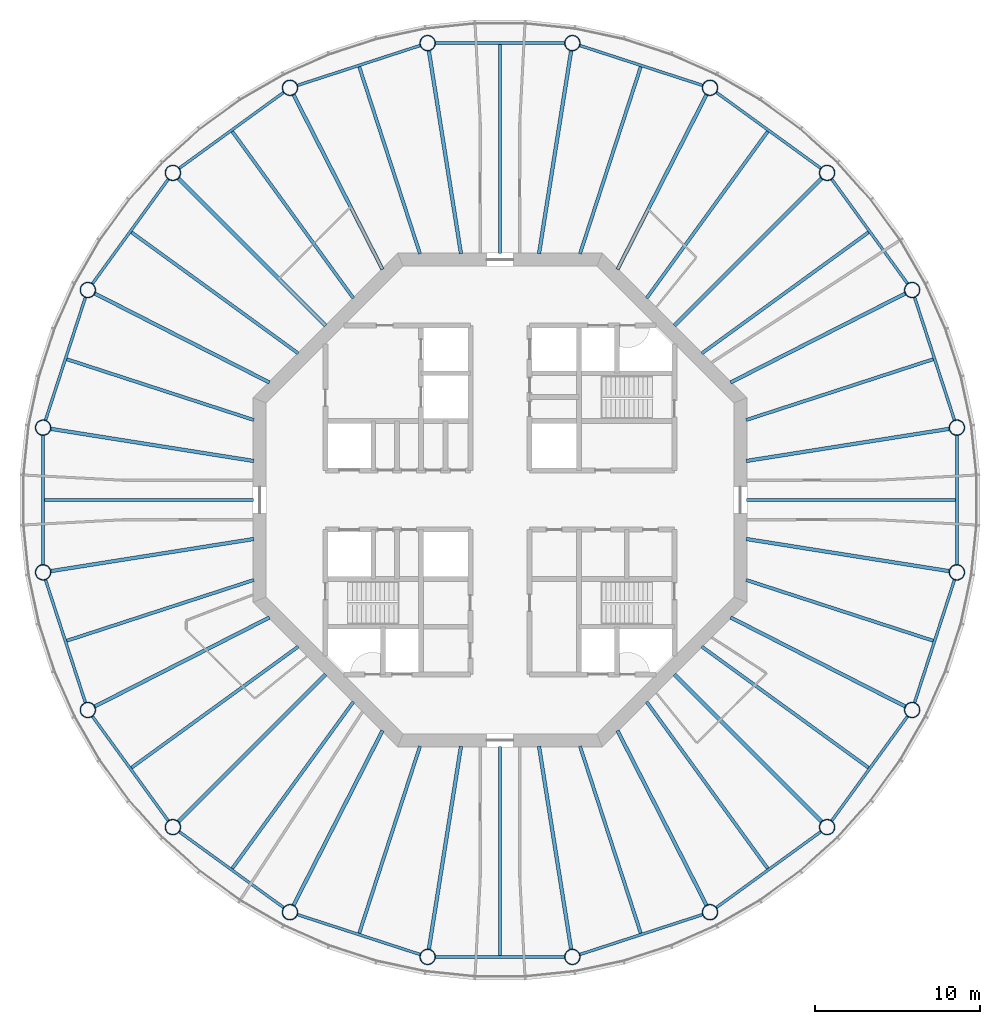
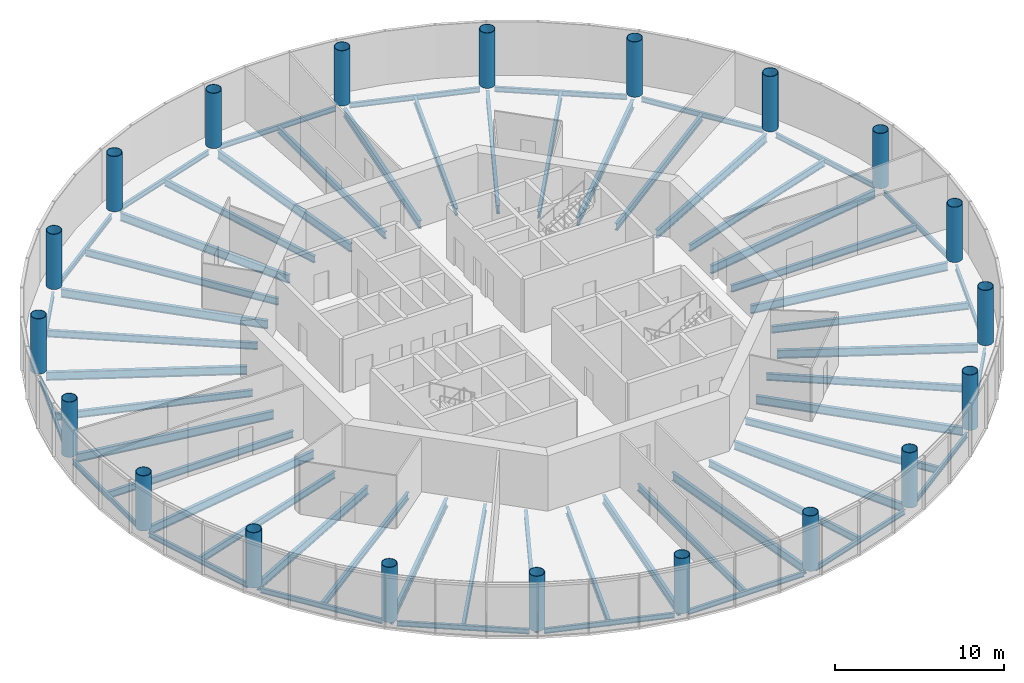
# One storey, part 1 of 13: 60 beams, 20 columns.
"""IFC4 building model written with IfcOpenShell, lengths in metres."""

from ifc_helpers import new_model, si_unit, direction, frame, origin, origin_2d, place, context, subcontext, project, spatial, circle, hollow_circle, i_section, extrude, material, material_profile, profile_set, type_object, element, save


model = new_model("IFC4")

# Units and contexts
model_context = context("Model", 3, precision=1e-05, world=origin(), true_north=direction((0.0, 1.0)))
body_context = subcontext(model_context, "Body", "Model", "MODEL_VIEW")
ifc_project = project(units=[si_unit("LENGTHUNIT", "METRE"), si_unit("AREAUNIT", "SQUARE_METRE"), si_unit("VOLUMEUNIT", "CUBIC_METRE"), si_unit("PLANEANGLEUNIT", "RADIAN"), si_unit("MASSUNIT", "GRAM", prefix="KILO")], contexts=[model_context])

# Site, building, storey
site_placement = place(None, origin())
site = spatial("IfcSite", under=ifc_project, at=site_placement, CompositionType="ELEMENT")
building_placement = place(site_placement, origin())
building = spatial("IfcBuilding", under=site, at=building_placement, Name="Entoto Ring Tower", CompositionType="ELEMENT")
storey_placement = place(building_placement, frame((0.0, 0.0, 298.0)))
storey = spatial("IfcBuildingStorey", under=building, at=storey_placement, Name="L68", CompositionType="ELEMENT", Elevation=298.0)

# Columns
ifc_material_1 = material(Name="Steel S355", Category="steel")
ifc_material_profile_1 = material_profile(ifc_material_1, hollow_circle(Radius=0.47509765625, WallThickness=0.034912109375, at=origin_2d()), Name="CHS 950 x 35")
ifc_material_2 = material(Name="Concrete C60/75", Category="concrete")
ifc_material_profile_2 = material_profile(ifc_material_2, circle(Radius=0.43994140625, at=origin_2d()), Name="Concrete C60/75 infill")
ifc_profile_set_1 = profile_set([ifc_material_profile_1, ifc_material_profile_2], Name="Steel S355")
column_type = type_object("IfcColumnType", Name="Ring column 950 x 35 concrete-filled tube", PredefinedType="COLUMN", material=ifc_profile_set_1)
for number, where, z_axis, x_axis, name in (
    (1, (117.754150390625, 84.395751953125, 0.0), (0.0, 0.0, 1.0), (1.0, 0.0, 0.0), "RC5 R01"),
    (2, (115.037353515625, 92.757080078125, 0.0), (0.0, 0.0, 1.0), (1.0, 0.0, 0.0), "RC5 R02"),
    (3, (109.86962890625, 99.86962890625, 0.0), (0.0, 0.0, 1.0), (1.0, 0.0, 0.0), "RC5 R03"),
    (4, (102.757080078125, 105.037353515625, 0.0), (0.0, 0.0, 1.0), (1.0, 0.0, 0.0), "RC5 R04"),
    (5, (94.395751953125, 107.754150390625, 0.0), (0.0, 0.0, 1.0), (1.0, 0.0, 0.0), "RC5 R05"),
    (6, (85.604248046875, 107.754150390625, 0.0), (0.0, 0.0, 1.0), (1.0, 0.0, 0.0), "RC5 R06"),
    (7, (77.242919921875, 105.037353515625, 0.0), (0.0, 0.0, 1.0), (1.0, 0.0, 0.0), "RC5 R07"),
    (8, (70.13037109375, 99.86962890625, 0.0), (0.0, 0.0, 1.0), (1.0, 0.0, 0.0), "RC5 R08"),
    (9, (64.962646484375, 92.757080078125, 0.0), (0.0, 0.0, 1.0), (1.0, 0.0, 0.0), "RC5 R09"),
    (10, (62.245849609375, 84.395751953125, 0.0), (0.0, 0.0, 1.0), (1.0, 0.0, 0.0), "RC5 R10"),
    (11, (62.245849609375, 75.604248046875, 0.0), (0.0, 0.0, 1.0), (1.0, 0.0, 0.0), "RC5 R11"),
    (12, (64.962646484375, 67.242919921875, 0.0), (0.0, 0.0, 1.0), (1.0, 0.0, 0.0), "RC5 R12"),
    (13, (70.13037109375, 60.13037109375, 0.0), (0.0, 0.0, 1.0), (1.0, 0.0, 0.0), "RC5 R13"),
    (14, (77.242919921875, 54.962646484375, 0.0), (0.0, 0.0, 1.0), (1.0, 0.0, 0.0), "RC5 R14"),
    (15, (85.604248046875, 52.245849609375, 0.0), (0.0, 0.0, 1.0), (1.0, 0.0, 0.0), "RC5 R15"),
    (16, (94.395751953125, 52.245849609375, 0.0), (0.0, 0.0, 1.0), (1.0, 0.0, 0.0), "RC5 R16"),
    (17, (102.757080078125, 54.962646484375, 0.0), (0.0, 0.0, 1.0), (1.0, 0.0, 0.0), "RC5 R17"),
    (18, (109.86962890625, 60.13037109375, 0.0), (0.0, 0.0, 1.0), (1.0, 0.0, 0.0), "RC5 R18"),
    (19, (115.037353515625, 67.242919921875, 0.0), (0.0, 0.0, 1.0), (1.0, 0.0, 0.0), "RC5 R19"),
    (20, (117.754150390625, 75.604248046875, 0.0), (0.0, 0.0, 1.0), (1.0, 0.0, 0.0), "RC5 R20"),
):
    element("IfcColumn", number, at=place(storey_placement, frame(where, z_axis=z_axis, x_axis=x_axis)), inside=storey, type_object=column_type, Name=name, PredefinedType="COLUMN", context=body_context, shape_type="SweptSolid", body=[
        extrude(hollow_circle(Radius=0.47509765625, WallThickness=0.034912109375, at=origin_2d()), origin(), (0.0, 0.0, 1.0), 4.0),
    ])

# Beams
ifc_material_3 = material(Name="Steel S355", Category="steel")
ifc_material_profile_3 = material_profile(ifc_material_3, i_section(OverallWidth=0.169921875, OverallDepth=0.360107421875, WebThickness=0.008056640625, FlangeThickness=0.0126953125, FilletRadius=0.01806640625, at=origin_2d()), Name="IPE 360")
ifc_profile_set_2 = profile_set([ifc_material_profile_3], Name="Steel S355")
beam_type_1 = type_object("IfcBeamType", Name="Edge beam IPE 360", PredefinedType="SPANDREL", material=ifc_profile_set_2)
beam_1_placement = place(storey_placement, frame((117.61572265625, 84.8212890625, -0.330078125), z_axis=(-0.309002883506, 0.951061101079, 0.0), x_axis=(-0.951061101079, -0.309002883506, 0.0)))
element("IfcBeam", 21, at=beam_1_placement, inside=storey, type_object=beam_type_1, Name="Edge beam L68 01", PredefinedType="SPANDREL", context=body_context, shape_type="SweptSolid", body=[
    extrude(i_section(OverallWidth=0.169921875, OverallDepth=0.360107421875, WebThickness=0.008056640625, FlangeThickness=0.0126953125, FilletRadius=0.01806640625, at=origin_2d()), origin(), (0.0, 0.0, 1.0), 7.89697265625),
])
for number, where, z_axis, x_axis, name in (
    (22, (114.7744140625, 93.118896484375, -0.330078125), (-0.587787449408, 0.809015398073, 0.0), (-0.809015398073, -0.587787449408, 0.0), "Edge beam L68 02"),
    (23, (109.5078125, 100.132568359375, -0.330078125), (-0.809015398073, 0.587787449408, 0.0), (-0.587787449408, -0.809015398073, 0.0), "Edge beam L68 03"),
):
    element("IfcBeam", number, at=place(storey_placement, frame(where, z_axis=z_axis, x_axis=x_axis)), inside=storey, type_object=beam_type_1, Name=name, PredefinedType="SPANDREL", context=body_context, shape_type="SweptSolid", body=[
        extrude(i_section(OverallWidth=0.169921875, OverallDepth=0.360107421875, WebThickness=0.008056640625, FlangeThickness=0.0126953125, FilletRadius=0.01806640625, at=origin_2d()), origin(), (0.0, 0.0, 1.0), 7.897216796875),
    ])
for number, where, z_axis, x_axis, name in (
    (24, (102.331787109375, 105.175537109375, -0.330078125), (-0.951061101079, 0.309002883506, 0.0), (-0.309002883506, -0.951061101079, 0.0), "Edge beam L68 04"),
    (25, (93.948486328125, 107.754150390625, -0.330078125), (-1.0, 0.0, 0.0), (0.0, -1.0, 0.0), "Edge beam L68 05"),
    (26, (85.1787109375, 107.61572265625, -0.330078125), (-0.951061101079, -0.309002883506, 0.0), (0.309002883506, -0.951061101079, 0.0), "Edge beam L68 06"),
):
    element("IfcBeam", number, at=place(storey_placement, frame(where, z_axis=z_axis, x_axis=x_axis)), inside=storey, type_object=beam_type_1, Name=name, PredefinedType="SPANDREL", context=body_context, shape_type="SweptSolid", body=[
        extrude(i_section(OverallWidth=0.169921875, OverallDepth=0.360107421875, WebThickness=0.008056640625, FlangeThickness=0.0126953125, FilletRadius=0.01806640625, at=origin_2d()), origin(), (0.0, 0.0, 1.0), 7.89697265625),
    ])
for number, where, z_axis, x_axis, name in (
    (27, (76.881103515625, 104.7744140625, -0.330078125), (-0.809015398073, -0.587787449408, 0.0), (0.587787449408, -0.809015398073, 0.0), "Edge beam L68 07"),
    (28, (69.867431640625, 99.5078125, -0.330078125), (-0.587787449408, -0.809015398073, 0.0), (0.809015398073, -0.587787449408, 0.0), "Edge beam L68 08"),
):
    element("IfcBeam", number, at=place(storey_placement, frame(where, z_axis=z_axis, x_axis=x_axis)), inside=storey, type_object=beam_type_1, Name=name, PredefinedType="SPANDREL", context=body_context, shape_type="SweptSolid", body=[
        extrude(i_section(OverallWidth=0.169921875, OverallDepth=0.360107421875, WebThickness=0.008056640625, FlangeThickness=0.0126953125, FilletRadius=0.01806640625, at=origin_2d()), origin(), (0.0, 0.0, 1.0), 7.897216796875),
    ])
for number, where, z_axis, x_axis, name in (
    (29, (64.824462890625, 92.331787109375, -0.330078125), (-0.309002883506, -0.951061101079, 0.0), (0.951061101079, -0.309002883506, 0.0), "Edge beam L68 09"),
    (30, (62.245849609375, 83.948486328125, -0.330078125), (0.0, -1.0, 0.0), (1.0, 0.0, 0.0), "Edge beam L68 10"),
    (31, (62.38427734375, 75.1787109375, -0.330078125), (0.309002883506, -0.951061101079, 0.0), (0.951061101079, 0.309002883506, 0.0), "Edge beam L68 11"),
):
    element("IfcBeam", number, at=place(storey_placement, frame(where, z_axis=z_axis, x_axis=x_axis)), inside=storey, type_object=beam_type_1, Name=name, PredefinedType="SPANDREL", context=body_context, shape_type="SweptSolid", body=[
        extrude(i_section(OverallWidth=0.169921875, OverallDepth=0.360107421875, WebThickness=0.008056640625, FlangeThickness=0.0126953125, FilletRadius=0.01806640625, at=origin_2d()), origin(), (0.0, 0.0, 1.0), 7.89697265625),
    ])
for number, where, z_axis, x_axis, name in (
    (32, (65.2255859375, 66.881103515625, -0.330078125), (0.587787449408, -0.809015398073, 0.0), (0.809015398073, 0.587787449408, 0.0), "Edge beam L68 12"),
    (33, (70.4921875, 59.867431640625, -0.330078125), (0.809015398073, -0.587787449408, 0.0), (0.587787449408, 0.809015398073, 0.0), "Edge beam L68 13"),
):
    element("IfcBeam", number, at=place(storey_placement, frame(where, z_axis=z_axis, x_axis=x_axis)), inside=storey, type_object=beam_type_1, Name=name, PredefinedType="SPANDREL", context=body_context, shape_type="SweptSolid", body=[
        extrude(i_section(OverallWidth=0.169921875, OverallDepth=0.360107421875, WebThickness=0.008056640625, FlangeThickness=0.0126953125, FilletRadius=0.01806640625, at=origin_2d()), origin(), (0.0, 0.0, 1.0), 7.897216796875),
    ])
for number, where, z_axis, x_axis, name in (
    (34, (77.668212890625, 54.824462890625, -0.330078125), (0.951061101079, -0.309002883506, 0.0), (0.309002883506, 0.951061101079, 0.0), "Edge beam L68 14"),
    (35, (86.051513671875, 52.245849609375, -0.330078125), (1.0, 0.0, 0.0), (0.0, 1.0, 0.0), "Edge beam L68 15"),
    (36, (94.8212890625, 52.38427734375, -0.330078125), (0.951061101079, 0.309002883506, 0.0), (-0.309002883506, 0.951061101079, 0.0), "Edge beam L68 16"),
):
    element("IfcBeam", number, at=place(storey_placement, frame(where, z_axis=z_axis, x_axis=x_axis)), inside=storey, type_object=beam_type_1, Name=name, PredefinedType="SPANDREL", context=body_context, shape_type="SweptSolid", body=[
        extrude(i_section(OverallWidth=0.169921875, OverallDepth=0.360107421875, WebThickness=0.008056640625, FlangeThickness=0.0126953125, FilletRadius=0.01806640625, at=origin_2d()), origin(), (0.0, 0.0, 1.0), 7.89697265625),
    ])
for number, where, z_axis, x_axis, name in (
    (37, (103.118896484375, 55.2255859375, -0.330078125), (0.809015398073, 0.587787449408, 0.0), (-0.587787449408, 0.809015398073, 0.0), "Edge beam L68 17"),
    (38, (110.132568359375, 60.4921875, -0.330078125), (0.587787449408, 0.809015398073, 0.0), (-0.809015398073, 0.587787449408, 0.0), "Edge beam L68 18"),
):
    element("IfcBeam", number, at=place(storey_placement, frame(where, z_axis=z_axis, x_axis=x_axis)), inside=storey, type_object=beam_type_1, Name=name, PredefinedType="SPANDREL", context=body_context, shape_type="SweptSolid", body=[
        extrude(i_section(OverallWidth=0.169921875, OverallDepth=0.360107421875, WebThickness=0.008056640625, FlangeThickness=0.0126953125, FilletRadius=0.01806640625, at=origin_2d()), origin(), (0.0, 0.0, 1.0), 7.897216796875),
    ])
for number, where, z_axis, x_axis, name in (
    (39, (115.175537109375, 67.668212890625, -0.330078125), (0.309002883506, 0.951061101079, 0.0), (-0.951061101079, 0.309002883506, 0.0), "Edge beam L68 19"),
    (40, (117.754150390625, 76.051513671875, -0.330078125), (0.0, 1.0, 0.0), (-1.0, 0.0, 0.0), "Edge beam L68 20"),
):
    element("IfcBeam", number, at=place(storey_placement, frame(where, z_axis=z_axis, x_axis=x_axis)), inside=storey, type_object=beam_type_1, Name=name, PredefinedType="SPANDREL", context=body_context, shape_type="SweptSolid", body=[
        extrude(i_section(OverallWidth=0.169921875, OverallDepth=0.360107421875, WebThickness=0.008056640625, FlangeThickness=0.0126953125, FilletRadius=0.01806640625, at=origin_2d()), origin(), (0.0, 0.0, 1.0), 7.89697265625),
    ])
ifc_material_4 = material(Name="Steel S355", Category="steel")
ifc_material_profile_4 = material_profile(ifc_material_4, i_section(OverallWidth=0.219970703125, OverallDepth=0.60009765625, WebThickness=0.011962890625, FlangeThickness=0.01904296875, FilletRadius=0.02392578125, at=origin_2d()), Name="IPE 600")
ifc_profile_set_3 = profile_set([ifc_material_profile_4], Name="Steel S355")
beam_type_2 = type_object("IfcBeamType", Name="Primary floor beam IPE 600", PredefinedType="BEAM", material=ifc_profile_set_3)
beam_2_placement = place(storey_placement, frame((104.963134765625, 82.369873046875, -0.449951171875), z_axis=(0.987687519796, 0.156439647277, 0.0), x_axis=(-0.156439647277, 0.987687519796, 0.0)))
element("IfcBeam", 41, at=beam_2_placement, inside=storey, type_object=beam_type_2, Name="Primary L68 R01", PredefinedType="BEAM", context=body_context, shape_type="SweptSolid", body=[
    extrude(i_section(OverallWidth=0.219970703125, OverallDepth=0.60009765625, WebThickness=0.011962890625, FlangeThickness=0.01904296875, FilletRadius=0.02392578125, at=origin_2d()), origin(), (0.0, 0.0, 1.0), 12.50830078125),
])
beam_3_placement = place(storey_placement, frame((104.003173828125, 87.135009765625, -0.449951171875), z_axis=(0.891007666593, 0.453988257638, 0.0), x_axis=(-0.453988257638, 0.891007666593, 0.0)))
element("IfcBeam", 42, at=beam_3_placement, inside=storey, type_object=beam_type_2, Name="Primary L68 R02", PredefinedType="BEAM", context=body_context, shape_type="SweptSolid", body=[
    extrude(i_section(OverallWidth=0.219970703125, OverallDepth=0.60009765625, WebThickness=0.011962890625, FlangeThickness=0.01904296875, FilletRadius=0.02392578125, at=origin_2d()), origin(), (0.0, 0.0, 1.0), 11.941650390625),
])
beam_4_placement = place(storey_placement, frame((100.592529296875, 90.592529296875, -0.449951171875), z_axis=(0.707106781187, 0.707106781187, 0.0), x_axis=(-0.707106781187, 0.707106781187, 0.0)))
element("IfcBeam", 43, at=beam_4_placement, inside=storey, type_object=beam_type_2, Name="Primary L68 R03", PredefinedType="BEAM", context=body_context, shape_type="SweptSolid", body=[
    extrude(i_section(OverallWidth=0.219970703125, OverallDepth=0.60009765625, WebThickness=0.011962890625, FlangeThickness=0.01904296875, FilletRadius=0.02392578125, at=origin_2d()), origin(), (0.0, 0.0, 1.0), 12.677978515625),
])
beam_5_placement = place(storey_placement, frame((97.135009765625, 94.003173828125, -0.449951171875), z_axis=(0.453988257638, 0.891007666593, 0.0), x_axis=(-0.891007666593, 0.453988257638, 0.0)))
element("IfcBeam", 44, at=beam_5_placement, inside=storey, type_object=beam_type_2, Name="Primary L68 R04", PredefinedType="BEAM", context=body_context, shape_type="SweptSolid", body=[
    extrude(i_section(OverallWidth=0.219970703125, OverallDepth=0.60009765625, WebThickness=0.011962890625, FlangeThickness=0.01904296875, FilletRadius=0.02392578125, at=origin_2d()), origin(), (0.0, 0.0, 1.0), 11.941650390625),
])
for number, where, z_axis, x_axis, name in (
    (45, (92.369873046875, 94.963134765625, -0.449951171875), (0.156439647277, 0.987687519796, 0.0), (-0.987687519796, 0.156439647277, 0.0), "Primary L68 R05"),
    (46, (87.630126953125, 94.963134765625, -0.449951171875), (-0.156439647277, 0.987687519796, 0.0), (-0.987687519796, -0.156439647277, 0.0), "Primary L68 R06"),
):
    element("IfcBeam", number, at=place(storey_placement, frame(where, z_axis=z_axis, x_axis=x_axis)), inside=storey, type_object=beam_type_2, Name=name, PredefinedType="BEAM", context=body_context, shape_type="SweptSolid", body=[
        extrude(i_section(OverallWidth=0.219970703125, OverallDepth=0.60009765625, WebThickness=0.011962890625, FlangeThickness=0.01904296875, FilletRadius=0.02392578125, at=origin_2d()), origin(), (0.0, 0.0, 1.0), 12.50830078125),
    ])
beam_6_placement = place(storey_placement, frame((82.864990234375, 94.003173828125, -0.449951171875), z_axis=(-0.453988257638, 0.891007666593, 0.0), x_axis=(-0.891007666593, -0.453988257638, 0.0)))
element("IfcBeam", 47, at=beam_6_placement, inside=storey, type_object=beam_type_2, Name="Primary L68 R07", PredefinedType="BEAM", context=body_context, shape_type="SweptSolid", body=[
    extrude(i_section(OverallWidth=0.219970703125, OverallDepth=0.60009765625, WebThickness=0.011962890625, FlangeThickness=0.01904296875, FilletRadius=0.02392578125, at=origin_2d()), origin(), (0.0, 0.0, 1.0), 11.941650390625),
])
beam_7_placement = place(storey_placement, frame((79.407470703125, 90.592529296875, -0.449951171875), z_axis=(-0.707106781187, 0.707106781187, 0.0), x_axis=(-0.707106781187, -0.707106781187, 0.0)))
element("IfcBeam", 48, at=beam_7_placement, inside=storey, type_object=beam_type_2, Name="Primary L68 R08", PredefinedType="BEAM", context=body_context, shape_type="SweptSolid", body=[
    extrude(i_section(OverallWidth=0.219970703125, OverallDepth=0.60009765625, WebThickness=0.011962890625, FlangeThickness=0.01904296875, FilletRadius=0.02392578125, at=origin_2d()), origin(), (0.0, 0.0, 1.0), 12.677978515625),
])
beam_8_placement = place(storey_placement, frame((75.996826171875, 87.135009765625, -0.449951171875), z_axis=(-0.891007666593, 0.453988257638, 0.0), x_axis=(-0.453988257638, -0.891007666593, 0.0)))
element("IfcBeam", 49, at=beam_8_placement, inside=storey, type_object=beam_type_2, Name="Primary L68 R09", PredefinedType="BEAM", context=body_context, shape_type="SweptSolid", body=[
    extrude(i_section(OverallWidth=0.219970703125, OverallDepth=0.60009765625, WebThickness=0.011962890625, FlangeThickness=0.01904296875, FilletRadius=0.02392578125, at=origin_2d()), origin(), (0.0, 0.0, 1.0), 11.941650390625),
])
for number, where, z_axis, x_axis, name in (
    (50, (75.036865234375, 82.369873046875, -0.449951171875), (-0.987687519796, 0.156439647277, 0.0), (-0.156439647277, -0.987687519796, 0.0), "Primary L68 R10"),
    (51, (75.036865234375, 77.630126953125, -0.449951171875), (-0.987687519796, -0.156439647277, 0.0), (0.156439647277, -0.987687519796, 0.0), "Primary L68 R11"),
):
    element("IfcBeam", number, at=place(storey_placement, frame(where, z_axis=z_axis, x_axis=x_axis)), inside=storey, type_object=beam_type_2, Name=name, PredefinedType="BEAM", context=body_context, shape_type="SweptSolid", body=[
        extrude(i_section(OverallWidth=0.219970703125, OverallDepth=0.60009765625, WebThickness=0.011962890625, FlangeThickness=0.01904296875, FilletRadius=0.02392578125, at=origin_2d()), origin(), (0.0, 0.0, 1.0), 12.50830078125),
    ])
beam_9_placement = place(storey_placement, frame((75.996826171875, 72.864990234375, -0.449951171875), z_axis=(-0.891007666593, -0.453988257638, 0.0), x_axis=(0.453988257638, -0.891007666593, 0.0)))
element("IfcBeam", 52, at=beam_9_placement, inside=storey, type_object=beam_type_2, Name="Primary L68 R12", PredefinedType="BEAM", context=body_context, shape_type="SweptSolid", body=[
    extrude(i_section(OverallWidth=0.219970703125, OverallDepth=0.60009765625, WebThickness=0.011962890625, FlangeThickness=0.01904296875, FilletRadius=0.02392578125, at=origin_2d()), origin(), (0.0, 0.0, 1.0), 11.941650390625),
])
beam_10_placement = place(storey_placement, frame((79.407470703125, 69.407470703125, -0.449951171875), z_axis=(-0.707106781187, -0.707106781187, 0.0), x_axis=(0.707106781187, -0.707106781187, 0.0)))
element("IfcBeam", 53, at=beam_10_placement, inside=storey, type_object=beam_type_2, Name="Primary L68 R13", PredefinedType="BEAM", context=body_context, shape_type="SweptSolid", body=[
    extrude(i_section(OverallWidth=0.219970703125, OverallDepth=0.60009765625, WebThickness=0.011962890625, FlangeThickness=0.01904296875, FilletRadius=0.02392578125, at=origin_2d()), origin(), (0.0, 0.0, 1.0), 12.677978515625),
])
beam_11_placement = place(storey_placement, frame((82.864990234375, 65.996826171875, -0.449951171875), z_axis=(-0.453988257638, -0.891007666593, 0.0), x_axis=(0.891007666593, -0.453988257638, 0.0)))
element("IfcBeam", 54, at=beam_11_placement, inside=storey, type_object=beam_type_2, Name="Primary L68 R14", PredefinedType="BEAM", context=body_context, shape_type="SweptSolid", body=[
    extrude(i_section(OverallWidth=0.219970703125, OverallDepth=0.60009765625, WebThickness=0.011962890625, FlangeThickness=0.01904296875, FilletRadius=0.02392578125, at=origin_2d()), origin(), (0.0, 0.0, 1.0), 11.941650390625),
])
for number, where, z_axis, x_axis, name in (
    (55, (87.630126953125, 65.036865234375, -0.449951171875), (-0.156439647277, -0.987687519796, 0.0), (0.987687519796, -0.156439647277, 0.0), "Primary L68 R15"),
    (56, (92.369873046875, 65.036865234375, -0.449951171875), (0.156439647277, -0.987687519796, 0.0), (0.987687519796, 0.156439647277, 0.0), "Primary L68 R16"),
):
    element("IfcBeam", number, at=place(storey_placement, frame(where, z_axis=z_axis, x_axis=x_axis)), inside=storey, type_object=beam_type_2, Name=name, PredefinedType="BEAM", context=body_context, shape_type="SweptSolid", body=[
        extrude(i_section(OverallWidth=0.219970703125, OverallDepth=0.60009765625, WebThickness=0.011962890625, FlangeThickness=0.01904296875, FilletRadius=0.02392578125, at=origin_2d()), origin(), (0.0, 0.0, 1.0), 12.50830078125),
    ])
beam_12_placement = place(storey_placement, frame((97.135009765625, 65.996826171875, -0.449951171875), z_axis=(0.453988257638, -0.891007666593, 0.0), x_axis=(0.891007666593, 0.453988257638, 0.0)))
element("IfcBeam", 57, at=beam_12_placement, inside=storey, type_object=beam_type_2, Name="Primary L68 R17", PredefinedType="BEAM", context=body_context, shape_type="SweptSolid", body=[
    extrude(i_section(OverallWidth=0.219970703125, OverallDepth=0.60009765625, WebThickness=0.011962890625, FlangeThickness=0.01904296875, FilletRadius=0.02392578125, at=origin_2d()), origin(), (0.0, 0.0, 1.0), 11.941650390625),
])
beam_13_placement = place(storey_placement, frame((100.592529296875, 69.407470703125, -0.449951171875), z_axis=(0.707106781187, -0.707106781187, 0.0), x_axis=(0.707106781187, 0.707106781187, 0.0)))
element("IfcBeam", 58, at=beam_13_placement, inside=storey, type_object=beam_type_2, Name="Primary L68 R18", PredefinedType="BEAM", context=body_context, shape_type="SweptSolid", body=[
    extrude(i_section(OverallWidth=0.219970703125, OverallDepth=0.60009765625, WebThickness=0.011962890625, FlangeThickness=0.01904296875, FilletRadius=0.02392578125, at=origin_2d()), origin(), (0.0, 0.0, 1.0), 12.677978515625),
])
beam_14_placement = place(storey_placement, frame((104.003173828125, 72.864990234375, -0.449951171875), z_axis=(0.891007666593, -0.453988257638, 0.0), x_axis=(0.453988257638, 0.891007666593, 0.0)))
element("IfcBeam", 59, at=beam_14_placement, inside=storey, type_object=beam_type_2, Name="Primary L68 R19", PredefinedType="BEAM", context=body_context, shape_type="SweptSolid", body=[
    extrude(i_section(OverallWidth=0.219970703125, OverallDepth=0.60009765625, WebThickness=0.011962890625, FlangeThickness=0.01904296875, FilletRadius=0.02392578125, at=origin_2d()), origin(), (0.0, 0.0, 1.0), 11.941650390625),
])
beam_15_placement = place(storey_placement, frame((104.963134765625, 77.630126953125, -0.449951171875), z_axis=(0.987687519796, -0.156439647277, 0.0), x_axis=(0.156439647277, 0.987687519796, 0.0)))
element("IfcBeam", 60, at=beam_15_placement, inside=storey, type_object=beam_type_2, Name="Primary L68 R20", PredefinedType="BEAM", context=body_context, shape_type="SweptSolid", body=[
    extrude(i_section(OverallWidth=0.219970703125, OverallDepth=0.60009765625, WebThickness=0.011962890625, FlangeThickness=0.01904296875, FilletRadius=0.02392578125, at=origin_2d()), origin(), (0.0, 0.0, 1.0), 12.50830078125),
])
ifc_material_5 = material(Name="Steel S355", Category="steel")
ifc_material_profile_5 = material_profile(ifc_material_5, i_section(OverallWidth=0.199951171875, OverallDepth=0.5, WebThickness=0.01025390625, FlangeThickness=0.01611328125, FilletRadius=0.02099609375, at=origin_2d()), Name="IPE 500")
ifc_profile_set_4 = profile_set([ifc_material_profile_5], Name="Steel S355")
beam_type_3 = type_object("IfcBeamType", Name="Secondary floor beam IPE 500", PredefinedType="JOIST", material=ifc_profile_set_4)
beam_16_placement = place(storey_placement, frame((104.9501953125, 84.857666015625, -0.39990234375), z_axis=(0.951056587506, 0.30901677521, 0.0), x_axis=(-0.30901677521, 0.951056587506, 0.0)))
element("IfcBeam", 61, at=beam_16_placement, inside=storey, type_object=beam_type_3, Name="Secondary beam L68 01", PredefinedType="JOIST", context=body_context, shape_type="SweptSolid", body=[
    extrude(i_section(OverallWidth=0.199951171875, OverallDepth=0.5, WebThickness=0.01025390625, FlangeThickness=0.01611328125, FilletRadius=0.02099609375, at=origin_2d()), origin(), (0.0, 0.0, 1.0), 11.94970703125),
])
for number, where, z_axis, x_axis, name in (
    (62, (102.257568359375, 88.905517578125, -0.39990234375), (0.80901431041, 0.587788946436, 0.0), (-0.587788946436, 0.80901431041, 0.0), "Secondary beam L68 02"),
    (63, (98.905517578125, 92.257568359375, -0.39990234375), (0.587788946436, 0.80901431041, 0.0), (-0.80901431041, 0.587788946436, 0.0), "Secondary beam L68 03"),
):
    element("IfcBeam", number, at=place(storey_placement, frame(where, z_axis=z_axis, x_axis=x_axis)), inside=storey, type_object=beam_type_3, Name=name, PredefinedType="JOIST", context=body_context, shape_type="SweptSolid", body=[
        extrude(i_section(OverallWidth=0.199951171875, OverallDepth=0.5, WebThickness=0.01025390625, FlangeThickness=0.01611328125, FilletRadius=0.02099609375, at=origin_2d()), origin(), (0.0, 0.0, 1.0), 12.51806640625),
    ])
beam_17_placement = place(storey_placement, frame((94.857666015625, 94.9501953125, -0.39990234375), z_axis=(0.30901677521, 0.951056587506, 0.0), x_axis=(-0.951056587506, 0.30901677521, 0.0)))
element("IfcBeam", 64, at=beam_17_placement, inside=storey, type_object=beam_type_3, Name="Secondary beam L68 04", PredefinedType="JOIST", context=body_context, shape_type="SweptSolid", body=[
    extrude(i_section(OverallWidth=0.199951171875, OverallDepth=0.5, WebThickness=0.01025390625, FlangeThickness=0.01611328125, FilletRadius=0.02099609375, at=origin_2d()), origin(), (0.0, 0.0, 1.0), 11.94970703125),
])
beam_18_placement = place(storey_placement, frame((90.0, 94.97998046875, -0.39990234375), z_axis=(0.0, 1.0, 0.0), x_axis=(-1.0, 0.0, 0.0)))
element("IfcBeam", 65, at=beam_18_placement, inside=storey, type_object=beam_type_3, Name="Secondary beam L68 05", PredefinedType="JOIST", context=body_context, shape_type="SweptSolid", body=[
    extrude(i_section(OverallWidth=0.199951171875, OverallDepth=0.5, WebThickness=0.01025390625, FlangeThickness=0.01611328125, FilletRadius=0.02099609375, at=origin_2d()), origin(), (0.0, 0.0, 1.0), 12.68896484375),
])
beam_19_placement = place(storey_placement, frame((85.142333984375, 94.9501953125, -0.39990234375), z_axis=(-0.30901677521, 0.951056587506, 0.0), x_axis=(-0.951056587506, -0.30901677521, 0.0)))
element("IfcBeam", 66, at=beam_19_placement, inside=storey, type_object=beam_type_3, Name="Secondary beam L68 06", PredefinedType="JOIST", context=body_context, shape_type="SweptSolid", body=[
    extrude(i_section(OverallWidth=0.199951171875, OverallDepth=0.5, WebThickness=0.01025390625, FlangeThickness=0.01611328125, FilletRadius=0.02099609375, at=origin_2d()), origin(), (0.0, 0.0, 1.0), 11.94970703125),
])
for number, where, z_axis, x_axis, name in (
    (67, (81.094482421875, 92.257568359375, -0.39990234375), (-0.587788946436, 0.80901431041, 0.0), (-0.80901431041, -0.587788946436, 0.0), "Secondary beam L68 07"),
    (68, (77.742431640625, 88.905517578125, -0.39990234375), (-0.80901431041, 0.587788946436, 0.0), (-0.587788946436, -0.80901431041, 0.0), "Secondary beam L68 08"),
):
    element("IfcBeam", number, at=place(storey_placement, frame(where, z_axis=z_axis, x_axis=x_axis)), inside=storey, type_object=beam_type_3, Name=name, PredefinedType="JOIST", context=body_context, shape_type="SweptSolid", body=[
        extrude(i_section(OverallWidth=0.199951171875, OverallDepth=0.5, WebThickness=0.01025390625, FlangeThickness=0.01611328125, FilletRadius=0.02099609375, at=origin_2d()), origin(), (0.0, 0.0, 1.0), 12.51806640625),
    ])
beam_20_placement = place(storey_placement, frame((75.0498046875, 84.857666015625, -0.39990234375), z_axis=(-0.951056587506, 0.30901677521, 0.0), x_axis=(-0.30901677521, -0.951056587506, 0.0)))
element("IfcBeam", 69, at=beam_20_placement, inside=storey, type_object=beam_type_3, Name="Secondary beam L68 09", PredefinedType="JOIST", context=body_context, shape_type="SweptSolid", body=[
    extrude(i_section(OverallWidth=0.199951171875, OverallDepth=0.5, WebThickness=0.01025390625, FlangeThickness=0.01611328125, FilletRadius=0.02099609375, at=origin_2d()), origin(), (0.0, 0.0, 1.0), 11.94970703125),
])
beam_21_placement = place(storey_placement, frame((75.02001953125, 80.0, -0.39990234375), z_axis=(-1.0, 0.0, 0.0), x_axis=(0.0, -1.0, 0.0)))
element("IfcBeam", 70, at=beam_21_placement, inside=storey, type_object=beam_type_3, Name="Secondary beam L68 10", PredefinedType="JOIST", context=body_context, shape_type="SweptSolid", body=[
    extrude(i_section(OverallWidth=0.199951171875, OverallDepth=0.5, WebThickness=0.01025390625, FlangeThickness=0.01611328125, FilletRadius=0.02099609375, at=origin_2d()), origin(), (0.0, 0.0, 1.0), 12.68896484375),
])
beam_22_placement = place(storey_placement, frame((75.0498046875, 75.142333984375, -0.39990234375), z_axis=(-0.951056587506, -0.30901677521, 0.0), x_axis=(0.30901677521, -0.951056587506, 0.0)))
element("IfcBeam", 71, at=beam_22_placement, inside=storey, type_object=beam_type_3, Name="Secondary beam L68 11", PredefinedType="JOIST", context=body_context, shape_type="SweptSolid", body=[
    extrude(i_section(OverallWidth=0.199951171875, OverallDepth=0.5, WebThickness=0.01025390625, FlangeThickness=0.01611328125, FilletRadius=0.02099609375, at=origin_2d()), origin(), (0.0, 0.0, 1.0), 11.94970703125),
])
for number, where, z_axis, x_axis, name in (
    (72, (77.742431640625, 71.094482421875, -0.39990234375), (-0.80901431041, -0.587788946436, 0.0), (0.587788946436, -0.80901431041, 0.0), "Secondary beam L68 12"),
    (73, (81.094482421875, 67.742431640625, -0.39990234375), (-0.587788946436, -0.80901431041, 0.0), (0.80901431041, -0.587788946436, 0.0), "Secondary beam L68 13"),
):
    element("IfcBeam", number, at=place(storey_placement, frame(where, z_axis=z_axis, x_axis=x_axis)), inside=storey, type_object=beam_type_3, Name=name, PredefinedType="JOIST", context=body_context, shape_type="SweptSolid", body=[
        extrude(i_section(OverallWidth=0.199951171875, OverallDepth=0.5, WebThickness=0.01025390625, FlangeThickness=0.01611328125, FilletRadius=0.02099609375, at=origin_2d()), origin(), (0.0, 0.0, 1.0), 12.51806640625),
    ])
beam_23_placement = place(storey_placement, frame((85.142333984375, 65.0498046875, -0.39990234375), z_axis=(-0.30901677521, -0.951056587506, 0.0), x_axis=(0.951056587506, -0.30901677521, 0.0)))
element("IfcBeam", 74, at=beam_23_placement, inside=storey, type_object=beam_type_3, Name="Secondary beam L68 14", PredefinedType="JOIST", context=body_context, shape_type="SweptSolid", body=[
    extrude(i_section(OverallWidth=0.199951171875, OverallDepth=0.5, WebThickness=0.01025390625, FlangeThickness=0.01611328125, FilletRadius=0.02099609375, at=origin_2d()), origin(), (0.0, 0.0, 1.0), 11.94970703125),
])
beam_24_placement = place(storey_placement, frame((90.0, 65.02001953125, -0.39990234375), z_axis=(0.0, -1.0, 0.0), x_axis=(1.0, 0.0, 0.0)))
element("IfcBeam", 75, at=beam_24_placement, inside=storey, type_object=beam_type_3, Name="Secondary beam L68 15", PredefinedType="JOIST", context=body_context, shape_type="SweptSolid", body=[
    extrude(i_section(OverallWidth=0.199951171875, OverallDepth=0.5, WebThickness=0.01025390625, FlangeThickness=0.01611328125, FilletRadius=0.02099609375, at=origin_2d()), origin(), (0.0, 0.0, 1.0), 12.68896484375),
])
beam_25_placement = place(storey_placement, frame((94.857666015625, 65.0498046875, -0.39990234375), z_axis=(0.30901677521, -0.951056587506, 0.0), x_axis=(0.951056587506, 0.30901677521, 0.0)))
element("IfcBeam", 76, at=beam_25_placement, inside=storey, type_object=beam_type_3, Name="Secondary beam L68 16", PredefinedType="JOIST", context=body_context, shape_type="SweptSolid", body=[
    extrude(i_section(OverallWidth=0.199951171875, OverallDepth=0.5, WebThickness=0.01025390625, FlangeThickness=0.01611328125, FilletRadius=0.02099609375, at=origin_2d()), origin(), (0.0, 0.0, 1.0), 11.94970703125),
])
for number, where, z_axis, x_axis, name in (
    (77, (98.905517578125, 67.742431640625, -0.39990234375), (0.587788946436, -0.80901431041, 0.0), (0.80901431041, 0.587788946436, 0.0), "Secondary beam L68 17"),
    (78, (102.257568359375, 71.094482421875, -0.39990234375), (0.80901431041, -0.587788946436, 0.0), (0.587788946436, 0.80901431041, 0.0), "Secondary beam L68 18"),
):
    element("IfcBeam", number, at=place(storey_placement, frame(where, z_axis=z_axis, x_axis=x_axis)), inside=storey, type_object=beam_type_3, Name=name, PredefinedType="JOIST", context=body_context, shape_type="SweptSolid", body=[
        extrude(i_section(OverallWidth=0.199951171875, OverallDepth=0.5, WebThickness=0.01025390625, FlangeThickness=0.01611328125, FilletRadius=0.02099609375, at=origin_2d()), origin(), (0.0, 0.0, 1.0), 12.51806640625),
    ])
beam_26_placement = place(storey_placement, frame((104.9501953125, 75.142333984375, -0.39990234375), z_axis=(0.951056587506, -0.30901677521, 0.0), x_axis=(0.30901677521, 0.951056587506, 0.0)))
element("IfcBeam", 79, at=beam_26_placement, inside=storey, type_object=beam_type_3, Name="Secondary beam L68 19", PredefinedType="JOIST", context=body_context, shape_type="SweptSolid", body=[
    extrude(i_section(OverallWidth=0.199951171875, OverallDepth=0.5, WebThickness=0.01025390625, FlangeThickness=0.01611328125, FilletRadius=0.02099609375, at=origin_2d()), origin(), (0.0, 0.0, 1.0), 11.94970703125),
])
beam_27_placement = place(storey_placement, frame((104.97998046875, 80.0, -0.39990234375), z_axis=(1.0, 0.0, 0.0), x_axis=(0.0, 1.0, 0.0)))
element("IfcBeam", 80, at=beam_27_placement, inside=storey, type_object=beam_type_3, Name="Secondary beam L68 20", PredefinedType="JOIST", context=body_context, shape_type="SweptSolid", body=[
    extrude(i_section(OverallWidth=0.199951171875, OverallDepth=0.5, WebThickness=0.01025390625, FlangeThickness=0.01611328125, FilletRadius=0.02099609375, at=origin_2d()), origin(), (0.0, 0.0, 1.0), 12.68896484375),
])

save(model, "model.ifc")
